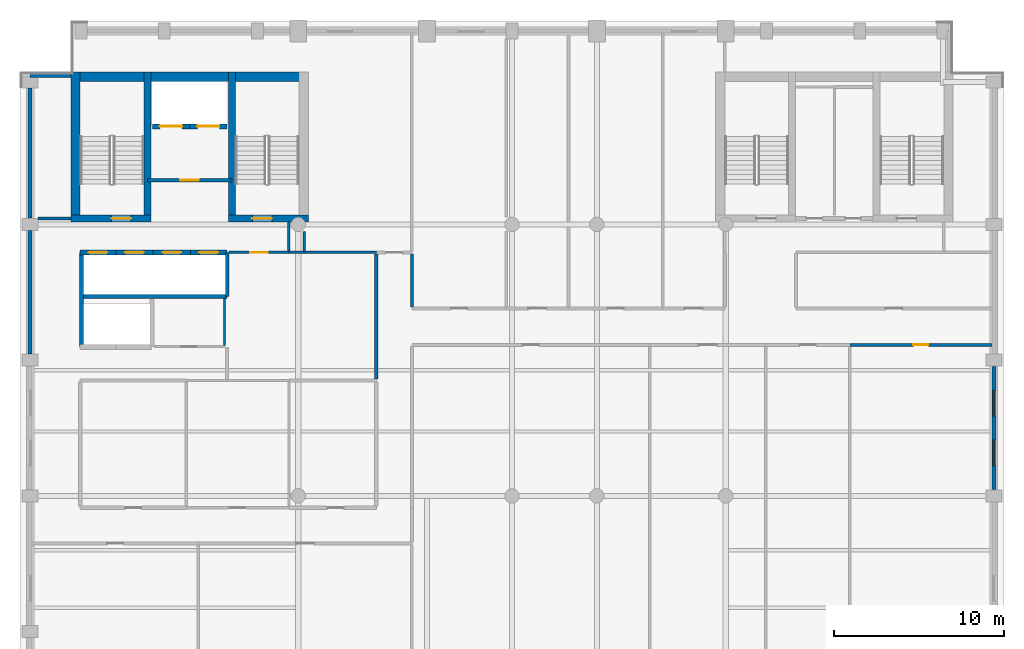
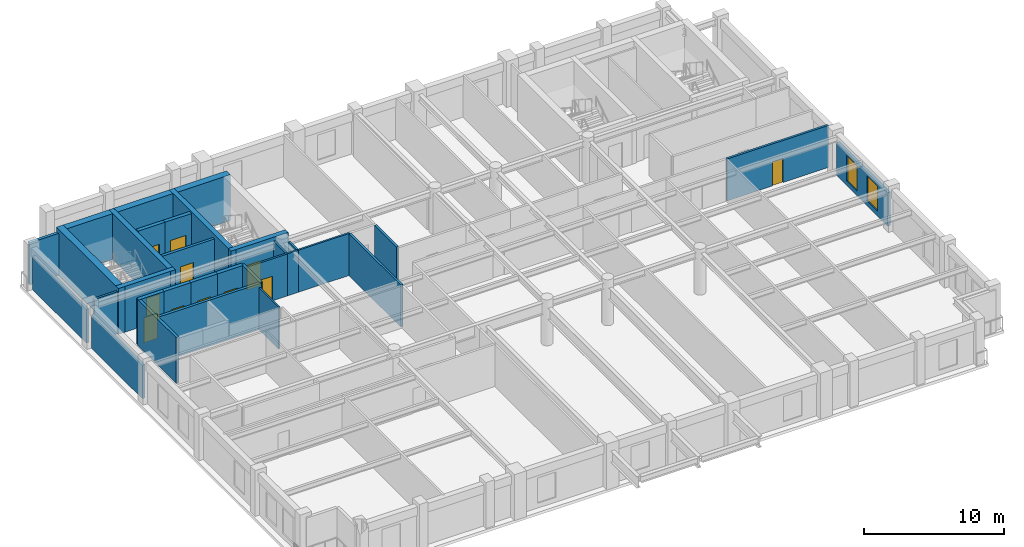
# One storey, part 4 of 9: 30 walls, 11 doors, 2 windows, 13 openings.
"""IFC4 building model written with IfcOpenShell, lengths in metres."""

from ifc_helpers import new_model, si_unit, direction, frame, frame_2d, origin, place, context, subcontext, project, spatial, rectangle, extrude, material, layer, layer_set, type_object, element, fill, save


model = new_model("IFC4")

# Units and contexts
model_context = context("Model", 3, precision=1e-05, world=origin(), true_north=direction((0.0, 1.0)))
body_context = subcontext(model_context, "Body", "Model", "MODEL_VIEW")
ifc_project = project(units=[si_unit("LENGTHUNIT", "METRE"), si_unit("AREAUNIT", "SQUARE_METRE"), si_unit("VOLUMEUNIT", "CUBIC_METRE"), si_unit("PLANEANGLEUNIT", "RADIAN"), si_unit("MASSUNIT", "GRAM", prefix="KILO")], contexts=[model_context])

# Site, building, storey
site_placement = place(None, origin())
site = spatial("IfcSite", under=ifc_project, at=site_placement, CompositionType="ELEMENT")
building_placement = place(site_placement, origin())
building = spatial("IfcBuilding", under=site, at=building_placement, Name="Sulina Concourse Tower", CompositionType="ELEMENT")
storey_placement = place(building_placement, frame((0.0, 0.0, 276.60009765625)))
storey = spatial("IfcBuildingStorey", under=building, at=storey_placement, Name="L67", CompositionType="ELEMENT", Elevation=276.60009765625)

# Walls
ifc_material_1 = material(Name="Concrete C50/60", Category="concrete")
ifc_layer_1 = layer(ifc_material_1, 0.219970703125)
ifc_layer_set_1 = layer_set([ifc_layer_1], Name="Concrete C50/60")
wall_type_1 = type_object("IfcWallType", Name="Core Lift Hoistway Divider Wall 220mm", PredefinedType="SOLIDWALL", material=ifc_layer_set_1)
wall_1_placement = place(storey_placement, frame((3.550048828125, 29.75, 0.0), z_axis=(0.0, 0.0, 1.0), x_axis=(1.0, 0.0, 0.0)))
element("IfcWall", 1, at=wall_1_placement, inside=storey, type_object=wall_type_1, Name="L67 shaft divider wall HW-LP3-S", PredefinedType="SOLIDWALL", context=body_context, shape_type="SweptSolid", body=[
    extrude(rectangle(XDim=8.64990234375, YDim=0.219970703125, at=frame_2d((4.324951171875, 0.0))), origin(), (0.0, 0.0, 1.0), 4.0),
])
wall_2_placement = place(storey_placement, frame((3.6298828125, 26.800048828125, 0.0), z_axis=(0.0, 0.0, 1.0), x_axis=(0.0, 1.0, 0.0)))
element("IfcWall", 2, at=wall_2_placement, inside=storey, type_object=wall_type_1, Name="L67 shaft divider wall HW-LP3-W", PredefinedType="SOLIDWALL", context=body_context, shape_type="SweptSolid", body=[
    extrude(rectangle(XDim=5.550048828125, YDim=0.219970703125, at=frame_2d((2.77490234375, 0.0))), origin(), (0.0, 0.0, 1.0), 4.0),
])
wall_3_placement = place(storey_placement, frame((12.219970703125, 29.75, 0.0), z_axis=(0.0, 0.0, 1.0), x_axis=(0.0, 1.0, 0.0)))
element("IfcWall", 3, at=wall_3_placement, inside=storey, type_object=wall_type_1, Name="L67 shaft divider wall HW-LP3-E", PredefinedType="SOLIDWALL", context=body_context, shape_type="SweptSolid", body=[
    extrude(rectangle(XDim=2.60009765625, YDim=0.219970703125, at=frame_2d((1.300048828125, 0.0))), origin(), (0.0, 0.0, 1.0), 4.0),
])

# Wall, opening, door
ifc_material_2 = material(Name="Concrete C50/60", Category="concrete")
ifc_layer_2 = layer(ifc_material_2, 0.300048828125)
ifc_layer_set_2 = layer_set([ifc_layer_2], Name="Concrete C50/60")
wall_type_2 = type_object("IfcWallType", Name="Core Lift Hoistway Wall 300mm", PredefinedType="SOLIDWALL", material=ifc_layer_set_2)
wall_4_placement = place(storey_placement, frame((3.550048828125, 32.35009765625, 0.0), z_axis=(0.0, 0.0, 1.0), x_axis=(1.0, 0.0, 0.0)))
wall_4 = element("IfcWall", 4, at=wall_4_placement, inside=storey, type_object=wall_type_2, Name="L67 hoistway enclosure wall LP-09", PredefinedType="SOLIDWALL", context=body_context, shape_type="SweptSolid", body=[
    extrude(rectangle(XDim=2.099853515625, YDim=0.300048828125, at=frame_2d((1.0498046875, 0.0))), origin(), (0.0, 0.0, 1.0), 4.0),
])
opening_1_placement = place(wall_4_placement, frame((0.5, 0.0, 0.0)))
opening_1 = element("IfcOpeningElement", 5, at=opening_1_placement, cuts=wall_4, Name="Opening LD-01", PredefinedType="OPENING", context=body_context, shape_type="SweptSolid", body=[
    extrude(rectangle(XDim=1.10009765625, YDim=2.199951171875, at=frame_2d((0.550048828125, 1.10009765625))), frame((0.0, 0.159912109375, 0.0), z_axis=(0.0, -1.0, 0.0), x_axis=(1.0, 0.0, 0.0)), (0.0, 0.0, 1.0), 0.320068359375),
])
ifc_material_3 = material(Name="Stainless steel lift landing door", Category="steel")
ifc_layer_3 = layer(ifc_material_3, 0.050048828125)
ifc_layer_set_3 = layer_set([ifc_layer_3], Name="Stainless steel lift landing door")
door_type_1 = type_object("IfcDoorType", Name="Passenger Lift Sliding Landing Door 1100x2200", OperationType="SLIDING_TO_LEFT", PredefinedType="DOOR", material=ifc_layer_set_3)
door_1_placement = place(opening_1_placement, origin())
door_1 = element("IfcDoor", 6, at=door_1_placement, inside=storey, type_object=door_type_1, Name="L67 lift landing sliding door LP-09", OperationType="SLIDING_TO_LEFT", OverallHeight=2.199951171875, OverallWidth=1.10009765625, PredefinedType="DOOR", context=body_context, shape_type="SweptSolid", body=[
    extrude(rectangle(XDim=1.10009765625, YDim=2.199951171875, at=frame_2d((0.550048828125, 1.10009765625))), frame((0.0, 0.02490234375, 0.0), z_axis=(0.0, -1.0, 0.0), x_axis=(1.0, 0.0, 0.0)), (0.0, 0.0, 1.0), 0.050048828125),
])
fill(opening_1, door_1)

wall_5_placement = place(storey_placement, frame((5.64990234375, 32.35009765625, 0.0), z_axis=(0.0, 0.0, 1.0), x_axis=(1.0, 0.0, 0.0)))
wall_5 = element("IfcWall", 7, at=wall_5_placement, inside=storey, type_object=wall_type_2, Name="L67 hoistway enclosure wall LP-10", PredefinedType="SOLIDWALL", context=body_context, shape_type="SweptSolid", body=[
    extrude(rectangle(XDim=2.2001953125, YDim=0.300048828125, at=frame_2d((1.10009765625, 0.0))), origin(), (0.0, 0.0, 1.0), 4.0),
])
opening_2_placement = place(wall_5_placement, frame((0.550048828125, 0.0, 0.0)))
opening_2 = element("IfcOpeningElement", 8, at=opening_2_placement, cuts=wall_5, Name="Opening LD-01", PredefinedType="OPENING", context=body_context, shape_type="SweptSolid", body=[
    extrude(rectangle(XDim=1.10009765625, YDim=2.199951171875, at=frame_2d((0.550048828125, 1.10009765625))), frame((0.0, 0.159912109375, 0.0), z_axis=(0.0, -1.0, 0.0), x_axis=(1.0, 0.0, 0.0)), (0.0, 0.0, 1.0), 0.320068359375),
])
door_2_placement = place(opening_2_placement, origin())
door_2 = element("IfcDoor", 9, at=door_2_placement, inside=storey, type_object=door_type_1, Name="L67 lift landing sliding door LP-10", OperationType="SLIDING_TO_RIGHT", OverallHeight=2.199951171875, OverallWidth=1.10009765625, PredefinedType="DOOR", context=body_context, shape_type="SweptSolid", body=[
    extrude(rectangle(XDim=1.10009765625, YDim=2.199951171875, at=frame_2d((0.550048828125, 1.10009765625))), frame((0.0, 0.02490234375, 0.0), z_axis=(0.0, -1.0, 0.0), x_axis=(1.0, 0.0, 0.0)), (0.0, 0.0, 1.0), 0.050048828125),
])
fill(opening_2, door_2)

wall_6_placement = place(storey_placement, frame((7.85009765625, 32.35009765625, 0.0), z_axis=(0.0, 0.0, 1.0), x_axis=(1.0, 0.0, 0.0)))
wall_6 = element("IfcWall", 10, at=wall_6_placement, inside=storey, type_object=wall_type_2, Name="L67 hoistway enclosure wall LP-11", PredefinedType="SOLIDWALL", context=body_context, shape_type="SweptSolid", body=[
    extrude(rectangle(XDim=2.199951171875, YDim=0.300048828125, at=frame_2d((1.10009765625, 0.0))), origin(), (0.0, 0.0, 1.0), 4.0),
])
opening_3_placement = place(wall_6_placement, frame((0.550048828125, 0.0, 0.0)))
opening_3 = element("IfcOpeningElement", 11, at=opening_3_placement, cuts=wall_6, Name="Opening LD-01", PredefinedType="OPENING", context=body_context, shape_type="SweptSolid", body=[
    extrude(rectangle(XDim=1.10009765625, YDim=2.199951171875, at=frame_2d((0.550048828125, 1.10009765625))), frame((0.0, 0.159912109375, 0.0), z_axis=(0.0, -1.0, 0.0), x_axis=(1.0, 0.0, 0.0)), (0.0, 0.0, 1.0), 0.320068359375),
])
door_3_placement = place(opening_3_placement, origin())
door_3 = element("IfcDoor", 12, at=door_3_placement, inside=storey, type_object=door_type_1, Name="L67 lift landing sliding door LP-11", OperationType="SLIDING_TO_LEFT", OverallHeight=2.199951171875, OverallWidth=1.10009765625, PredefinedType="DOOR", context=body_context, shape_type="SweptSolid", body=[
    extrude(rectangle(XDim=1.10009765625, YDim=2.199951171875, at=frame_2d((0.550048828125, 1.10009765625))), frame((0.0, 0.02490234375, 0.0), z_axis=(0.0, -1.0, 0.0), x_axis=(1.0, 0.0, 0.0)), (0.0, 0.0, 1.0), 0.050048828125),
])
fill(opening_3, door_3)

wall_7_placement = place(storey_placement, frame((10.050048828125, 32.35009765625, 0.0), z_axis=(0.0, 0.0, 1.0), x_axis=(1.0, 0.0, 0.0)))
wall_7 = element("IfcWall", 13, at=wall_7_placement, inside=storey, type_object=wall_type_2, Name="L67 hoistway enclosure wall LP-12", PredefinedType="SOLIDWALL", context=body_context, shape_type="SweptSolid", body=[
    extrude(rectangle(XDim=2.14990234375, YDim=0.300048828125, at=frame_2d((1.074951171875, 0.0))), origin(), (0.0, 0.0, 1.0), 4.0),
])
opening_4_placement = place(wall_7_placement, frame((0.52490234375, 0.0, 0.0)))
opening_4 = element("IfcOpeningElement", 14, at=opening_4_placement, cuts=wall_7, Name="Opening LD-01", PredefinedType="OPENING", context=body_context, shape_type="SweptSolid", body=[
    extrude(rectangle(XDim=1.10009765625, YDim=2.199951171875, at=frame_2d((0.550048828125, 1.10009765625))), frame((0.0, 0.159912109375, 0.0), z_axis=(0.0, -1.0, 0.0), x_axis=(1.0, 0.0, 0.0)), (0.0, 0.0, 1.0), 0.320068359375),
])
door_4_placement = place(opening_4_placement, origin())
door_4 = element("IfcDoor", 15, at=door_4_placement, inside=storey, type_object=door_type_1, Name="L67 lift landing sliding door LP-12", OperationType="SLIDING_TO_RIGHT", OverallHeight=2.199951171875, OverallWidth=1.10009765625, PredefinedType="DOOR", context=body_context, shape_type="SweptSolid", body=[
    extrude(rectangle(XDim=1.10009765625, YDim=2.199951171875, at=frame_2d((0.550048828125, 1.10009765625))), frame((0.0, 0.02490234375, 0.0), z_axis=(0.0, -1.0, 0.0), x_axis=(1.0, 0.0, 0.0)), (0.0, 0.0, 1.0), 0.050048828125),
])
fill(opening_4, door_4)

wall_8_placement = place(storey_placement, frame((10.0, 39.780029296875, 0.0), z_axis=(0.0, 0.0, 1.0), x_axis=(-1.0, 0.0, 0.0)))
wall_8 = element("IfcWall", 16, at=wall_8_placement, inside=storey, type_object=wall_type_2, Name="L67 hoistway enclosure wall FFL-1", PredefinedType="SOLIDWALL", context=body_context, shape_type="SweptSolid", body=[
    extrude(rectangle(XDim=2.199951171875, YDim=0.300048828125, at=frame_2d((1.10009765625, 0.0))), origin(), (0.0, 0.0, 1.0), 4.0),
])
opening_5_placement = place(wall_8_placement, frame((0.449951171875, 0.0, 0.0)))
opening_5 = element("IfcOpeningElement", 17, at=opening_5_placement, cuts=wall_8, Name="Opening LD-02", PredefinedType="OPENING", context=body_context, shape_type="SweptSolid", body=[
    extrude(rectangle(XDim=1.300048828125, YDim=2.25, at=frame_2d((0.64990234375, 1.125))), frame((0.0, 0.159912109375, 0.0), z_axis=(0.0, -1.0, 0.0), x_axis=(1.0, 0.0, 0.0)), (0.0, 0.0, 1.0), 0.320068359375),
])
ifc_material_4 = material(Name="Stainless steel lift landing door", Category="steel")
ifc_layer_4 = layer(ifc_material_4, 0.050048828125)
ifc_layer_set_4 = layer_set([ifc_layer_4], Name="Stainless steel lift landing door")
door_type_2 = type_object("IfcDoorType", Name="Firefighting Lift Sliding Landing Door 1300x2250", OperationType="SLIDING_TO_RIGHT", PredefinedType="DOOR", material=ifc_layer_set_4)
door_5_placement = place(opening_5_placement, origin())
door_5 = element("IfcDoor", 18, at=door_5_placement, inside=storey, type_object=door_type_2, Name="L67 lift landing sliding door FFL-1", OperationType="SLIDING_TO_LEFT", OverallHeight=2.25, OverallWidth=1.300048828125, PredefinedType="DOOR", context=body_context, shape_type="SweptSolid", body=[
    extrude(rectangle(XDim=1.300048828125, YDim=2.25, at=frame_2d((0.64990234375, 1.125))), frame((0.0, 0.02490234375, 0.0), z_axis=(0.0, -1.0, 0.0), x_axis=(1.0, 0.0, 0.0)), (0.0, 0.0, 1.0), 0.050048828125),
])
fill(opening_5, door_5)

wall_9_placement = place(storey_placement, frame((12.199951171875, 39.780029296875, 0.0), z_axis=(0.0, 0.0, 1.0), x_axis=(-1.0, 0.0, 0.0)))
wall_9 = element("IfcWall", 19, at=wall_9_placement, inside=storey, type_object=wall_type_2, Name="L67 hoistway enclosure wall FFL-2", PredefinedType="SOLIDWALL", context=body_context, shape_type="SweptSolid", body=[
    extrude(rectangle(XDim=2.199951171875, YDim=0.300048828125, at=frame_2d((1.10009765625, 0.0))), origin(), (0.0, 0.0, 1.0), 4.0),
])
opening_6_placement = place(wall_9_placement, frame((0.449951171875, 0.0, 0.0)))
opening_6 = element("IfcOpeningElement", 20, at=opening_6_placement, cuts=wall_9, Name="Opening LD-02", PredefinedType="OPENING", context=body_context, shape_type="SweptSolid", body=[
    extrude(rectangle(XDim=1.300048828125, YDim=2.25, at=frame_2d((0.64990234375, 1.125))), frame((0.0, 0.159912109375, 0.0), z_axis=(0.0, -1.0, 0.0), x_axis=(1.0, 0.0, 0.0)), (0.0, 0.0, 1.0), 0.320068359375),
])
door_6_placement = place(opening_6_placement, origin())
door_6 = element("IfcDoor", 21, at=door_6_placement, inside=storey, type_object=door_type_2, Name="L67 lift landing sliding door FFL-2", OperationType="SLIDING_TO_RIGHT", OverallHeight=2.25, OverallWidth=1.300048828125, PredefinedType="DOOR", context=body_context, shape_type="SweptSolid", body=[
    extrude(rectangle(XDim=1.300048828125, YDim=2.25, at=frame_2d((0.64990234375, 1.125))), frame((0.0, 0.02490234375, 0.0), z_axis=(0.0, -1.0, 0.0), x_axis=(1.0, 0.0, 0.0)), (0.0, 0.0, 1.0), 0.050048828125),
])
fill(opening_6, door_6)

# Walls
ifc_material_5 = material(Name="Precast concrete C50/60", Category="concrete")
ifc_layer_5 = layer(ifc_material_5, 0.239990234375)
ifc_layer_set_5 = layer_set([ifc_layer_5], Name="Precast concrete C50/60")
wall_type_3 = type_object("IfcWallType", Name="Crown Precast Masonry-Frame Facade Wall 240mm", PredefinedType="SOLIDWALL", material=ifc_layer_set_5)
wall_10_placement = place(storey_placement, frame((0.60009765625, 26.3701171875, 0.0), z_axis=(0.0, 0.0, 1.0), x_axis=(0.0, 1.0, 0.0)))
element("IfcWall", 22, at=wall_10_placement, inside=storey, type_object=wall_type_3, Name="L67 exterior precast wall W4", PredefinedType="SOLIDWALL", context=body_context, shape_type="SweptSolid", body=[
    extrude(rectangle(XDim=7.259765625, YDim=0.239990234375, at=frame_2d((3.6298828125, 0.0))), origin(), (0.0, 0.0, 1.0), 2.909912109375),
])
wall_11_placement = place(storey_placement, frame((0.60009765625, 34.3701171875, 0.0), z_axis=(0.0, 0.0, 1.0), x_axis=(0.0, 1.0, 0.0)))
element("IfcWall", 23, at=wall_11_placement, inside=storey, type_object=wall_type_3, Name="L67 exterior precast wall W5", PredefinedType="SOLIDWALL", context=body_context, shape_type="SweptSolid", body=[
    extrude(rectangle(XDim=7.659912109375, YDim=0.239990234375, at=frame_2d((3.830078125, 0.0))), origin(), (0.0, 0.0, 1.0), 2.909912109375),
])

# Wall, openings, windows
wall_12_placement = place(storey_placement, frame((57.39990234375, 25.6298828125, 0.0), z_axis=(0.0, 0.0, 1.0), x_axis=(0.0, -1.0, 0.0)))
wall_12 = element("IfcWall", 24, at=wall_12_placement, inside=storey, type_object=wall_type_3, Name="L67 exterior precast wall E3", PredefinedType="SOLIDWALL", context=body_context, shape_type="SweptSolid", body=[
    extrude(rectangle(XDim=7.259765625, YDim=0.239990234375, at=frame_2d((3.6298828125, 0.0))), origin(), (0.0, 0.0, 1.0), 2.909912109375),
])
opening_7_placement = place(wall_12_placement, frame((1.419921875, 0.0, 0.419921875)))
opening_7 = element("IfcOpeningElement", 25, at=opening_7_placement, cuts=wall_12, Name="Opening WN-71", PredefinedType="OPENING", context=body_context, shape_type="SweptSolid", body=[
    extrude(rectangle(XDim=1.5, YDim=2.199951171875, at=frame_2d((0.75, 1.10009765625))), frame((0.0, 0.1298828125, 0.0), z_axis=(0.0, -1.0, 0.0), x_axis=(1.0, 0.0, 0.0)), (0.0, 0.0, 1.0), 0.260009765625),
])
opening_8_placement = place(wall_12_placement, frame((4.340087890625, 0.0, 0.419921875)))
opening_8 = element("IfcOpeningElement", 26, at=opening_8_placement, cuts=wall_12, Name="Opening WN-71", PredefinedType="OPENING", context=body_context, shape_type="SweptSolid", body=[
    extrude(rectangle(XDim=1.5, YDim=2.199951171875, at=frame_2d((0.75, 1.10009765625))), frame((0.0, 0.1298828125, 0.0), z_axis=(0.0, -1.0, 0.0), x_axis=(1.0, 0.0, 0.0)), (0.0, 0.0, 1.0), 0.260009765625),
])
ifc_material_6 = material(Name="Low-E solar double glazing in bronze aluminium", Category="aluminium")
window_type = type_object("IfcWindowType", Name="Punched Masonry-Frame Window 1500x2200", PartitioningType="SINGLE_PANEL", PredefinedType="WINDOW", material=ifc_material_6)
window_1_placement = place(opening_7_placement, origin())
window_1 = element("IfcWindow", 27, at=window_1_placement, inside=storey, type_object=window_type, Name="L67 punched window E3-1", OverallHeight=2.199951171875, OverallWidth=1.5, PartitioningType="SINGLE_PANEL", PredefinedType="WINDOW", context=body_context, shape_type="SweptSolid", body=[
    extrude(rectangle(XDim=1.5, YDim=2.199951171875, at=frame_2d((0.75, 1.10009765625))), frame((0.0, 0.030029296875, 0.0), z_axis=(0.0, -1.0, 0.0), x_axis=(1.0, 0.0, 0.0)), (0.0, 0.0, 1.0), 0.06005859375),
])
fill(opening_7, window_1)
window_2_placement = place(opening_8_placement, origin())
window_2 = element("IfcWindow", 28, at=window_2_placement, inside=storey, type_object=window_type, Name="L67 punched window E3-2", OverallHeight=2.199951171875, OverallWidth=1.5, PartitioningType="SINGLE_PANEL", PredefinedType="WINDOW", context=body_context, shape_type="SweptSolid", body=[
    extrude(rectangle(XDim=1.5, YDim=2.199951171875, at=frame_2d((0.75, 1.10009765625))), frame((0.0, 0.030029296875, 0.0), z_axis=(0.0, -1.0, 0.0), x_axis=(1.0, 0.0, 0.0)), (0.0, 0.0, 1.0), 0.06005859375),
])
fill(opening_8, window_2)

# Wall
wall_13_placement = place(storey_placement, frame((0.60009765625, 42.77001953125, 0.0), z_axis=(0.0, 0.0, 1.0), x_axis=(1.0, 0.0, 0.0)))
element("IfcWall", 29, at=wall_13_placement, inside=storey, type_object=wall_type_3, Name="L67 exterior precast wall CNW1", PredefinedType="SOLIDWALL", context=body_context, shape_type="SweptSolid", body=[
    extrude(rectangle(XDim=2.39501953125, YDim=0.239990234375, at=frame_2d((1.197509765625, 0.0))), origin(), (0.0, 0.0, 1.0), 3.659912109375),
])

# Wall, opening, door
ifc_material_7 = material(Name="Gypsum board on steel stud", Category="steel")
ifc_layer_6 = layer(ifc_material_7, 0.219970703125)
ifc_layer_set_6 = layer_set([ifc_layer_6], Name="Gypsum board on steel stud")
wall_type_4 = type_object("IfcWallType", Name="Fire-Rated Lobby & Compartment Wall 220mm", PredefinedType="PARTITIONING", material=ifc_layer_set_6)
wall_14_placement = place(storey_placement, frame((7.510009765625, 36.60009765625, 0.0), z_axis=(0.0, 0.0, 1.0), x_axis=(1.0, 0.0, 0.0)))
wall_14 = element("IfcWall", 30, at=wall_14_placement, inside=storey, type_object=wall_type_4, Name="L67 firefighting lobby south fire wall", PredefinedType="PARTITIONING", context=body_context, shape_type="SweptSolid", body=[
    extrude(rectangle(XDim=4.97998046875, YDim=0.219970703125, at=frame_2d((2.489990234375, 0.0))), origin(), (0.0, 0.0, 1.0), 3.659912109375),
])
opening_9_placement = place(wall_14_placement, frame((1.93994140625, 0.0, 0.0)))
opening_9 = element("IfcOpeningElement", 31, at=opening_9_placement, cuts=wall_14, Name="Opening DR-47", PredefinedType="OPENING", context=body_context, shape_type="SweptSolid", body=[
    extrude(rectangle(XDim=1.10009765625, YDim=2.199951171875, at=frame_2d((0.550048828125, 1.10009765625))), frame((0.0, 0.119873046875, 0.0), z_axis=(0.0, -1.0, 0.0), x_axis=(1.0, 0.0, 0.0)), (0.0, 0.0, 1.0), 0.239990234375),
])
ifc_material_8 = material(Name="Galvanised steel acoustic fire leaf", Category="steel")
ifc_layer_7 = layer(ifc_material_8, 0.054931640625)
ifc_layer_set_7 = layer_set([ifc_layer_7], Name="Galvanised steel acoustic fire leaf")
door_type_3 = type_object("IfcDoorType", Name="Firefighting Lobby Fire Door 1100x2200", OperationType="NOTDEFINED", PredefinedType="DOOR", material=ifc_layer_set_7)
door_7_placement = place(opening_9_placement, origin())
door_7 = element("IfcDoor", 32, at=door_7_placement, inside=storey, type_object=door_type_3, Name="L67 firefighting lobby fire door", OperationType="SINGLE_SWING_RIGHT", OverallHeight=2.199951171875, OverallWidth=1.10009765625, PredefinedType="DOOR", context=body_context, shape_type="SweptSolid", body=[
    extrude(rectangle(XDim=1.10009765625, YDim=2.199951171875, at=frame_2d((0.550048828125, 1.10009765625))), frame((0.0, 0.02490234375, 0.0), z_axis=(0.0, -1.0, 0.0), x_axis=(1.0, 0.0, 0.0)), (0.0, 0.0, 1.0), 0.050048828125),
])
fill(opening_9, door_7)

ifc_material_9 = material(Name="Gypsum board on steel stud", Category="steel")
ifc_layer_8 = layer(ifc_material_9, 0.14990234375)
ifc_layer_set_8 = layer_set([ifc_layer_8], Name="Gypsum board on steel stud")
wall_type_5 = type_object("IfcWallType", Name="Inter-Tenancy Acoustic Partition 150mm", PredefinedType="PARTITIONING", material=ifc_layer_set_8)
wall_15_placement = place(storey_placement, frame((12.330078125, 32.35009765625, 0.0), z_axis=(0.0, 0.0, 1.0), x_axis=(1.0, 0.0, 0.0)))
wall_15 = element("IfcWall", 33, at=wall_15_placement, inside=storey, type_object=wall_type_5, Name="L67 interior partition 020", PredefinedType="PARTITIONING", context=body_context, shape_type="SweptSolid", body=[
    extrude(rectangle(XDim=3.52001953125, YDim=0.14990234375, at=frame_2d((1.760009765625, 0.0))), origin(), (0.0, 0.0, 1.0), 3.659912109375),
])
opening_10_placement = place(wall_15_placement, frame((1.235107421875, 0.0, 0.0)))
opening_10 = element("IfcOpeningElement", 34, at=opening_10_placement, cuts=wall_15, Name="Opening DR-37", PredefinedType="OPENING", context=body_context, shape_type="SweptSolid", body=[
    extrude(rectangle(XDim=1.050048828125, YDim=2.14990234375, at=frame_2d((0.52490234375, 1.074951171875))), frame((0.0, 0.0849609375, 0.0), z_axis=(0.0, -1.0, 0.0), x_axis=(1.0, 0.0, 0.0)), (0.0, 0.0, 1.0), 0.169921875),
])
ifc_material_10 = material(Name="Oak-veneered fire door leaf")
ifc_layer_9 = layer(ifc_material_10, 0.050048828125)
ifc_layer_set_9 = layer_set([ifc_layer_9], Name="Oak-veneered fire door leaf")
door_type_4 = type_object("IfcDoorType", Name="Tenant Suite Entrance Fire Door 1050x2150", OperationType="NOTDEFINED", PredefinedType="DOOR", material=ifc_layer_set_9)
door_8_placement = place(opening_10_placement, origin())
door_8 = element("IfcDoor", 35, at=door_8_placement, inside=storey, type_object=door_type_4, Name="L67 interior door L67-MR-MRG1", OperationType="SINGLE_SWING_RIGHT", OverallHeight=2.14990234375, OverallWidth=1.050048828125, PredefinedType="DOOR", context=body_context, shape_type="SweptSolid", body=[
    extrude(rectangle(XDim=1.050048828125, YDim=2.14990234375, at=frame_2d((0.52490234375, 1.074951171875))), frame((0.0, 0.02490234375, 0.0), z_axis=(0.0, -1.0, 0.0), x_axis=(1.0, 0.0, 0.0)), (0.0, 0.0, 1.0), 0.050048828125),
])
fill(opening_10, door_8)

# Walls
wall_16_placement = place(storey_placement, frame((15.85009765625, 32.35009765625, 0.0), z_axis=(0.0, 0.0, 1.0), x_axis=(1.0, 0.0, 0.0)))
element("IfcWall", 36, at=wall_16_placement, inside=storey, type_object=wall_type_5, Name="L67 interior partition 021", PredefinedType="PARTITIONING", context=body_context, shape_type="SweptSolid", body=[
    extrude(rectangle(XDim=0.89990234375, YDim=0.14990234375, at=frame_2d((0.449951171875, 0.0))), origin(), (0.0, 0.0, 1.0), 3.659912109375),
])
wall_17_placement = place(storey_placement, frame((16.75, 32.35009765625, 0.0), z_axis=(0.0, 0.0, 1.0), x_axis=(1.0, 0.0, 0.0)))
element("IfcWall", 37, at=wall_17_placement, inside=storey, type_object=wall_type_5, Name="L67 interior partition 022", PredefinedType="PARTITIONING", context=body_context, shape_type="SweptSolid", body=[
    extrude(rectangle(XDim=4.25, YDim=0.14990234375, at=frame_2d((2.125, 0.0))), origin(), (0.0, 0.0, 1.0), 3.659912109375),
])
wall_18_placement = place(storey_placement, frame((15.85009765625, 32.425048828125, 0.0), z_axis=(0.0, 0.0, 1.0), x_axis=(0.0, 1.0, 0.0)))
element("IfcWall", 38, at=wall_18_placement, inside=storey, type_object=wall_type_5, Name="L67 interior partition 035", PredefinedType="PARTITIONING", context=body_context, shape_type="SweptSolid", body=[
    extrude(rectangle(XDim=1.724853515625, YDim=0.14990234375, at=frame_2d((0.8623046875, 0.0))), origin(), (0.0, 0.0, 1.0), 3.659912109375),
])
wall_19_placement = place(storey_placement, frame((16.75, 32.425048828125, 0.0), z_axis=(0.0, 0.0, 1.0), x_axis=(0.0, 1.0, 0.0)))
element("IfcWall", 39, at=wall_19_placement, inside=storey, type_object=wall_type_5, Name="L67 interior partition 036", PredefinedType="PARTITIONING", context=body_context, shape_type="SweptSolid", body=[
    extrude(rectangle(XDim=1.14990234375, YDim=0.14990234375, at=frame_2d((0.574951171875, 0.0))), origin(), (0.0, 0.0, 1.0), 3.659912109375),
])

# Wall, opening, door
ifc_material_11 = material(Name="Gypsum board on steel stud", Category="steel")
ifc_layer_10 = layer(ifc_material_11, 0.179931640625)
ifc_layer_set_10 = layer_set([ifc_layer_10], Name="Gypsum board on steel stud")
wall_type_6 = type_object("IfcWallType", Name="Protected Corridor & Riser Partition 180mm", PredefinedType="PARTITIONING", material=ifc_layer_set_10)
wall_20_placement = place(storey_placement, frame((48.919921875, 26.89990234375, 0.0), z_axis=(0.0, 0.0, 1.0), x_axis=(1.0, 0.0, 0.0)))
wall_20 = element("IfcWall", 40, at=wall_20_placement, inside=storey, type_object=wall_type_6, Name="L67 interior partition 014", PredefinedType="PARTITIONING", context=body_context, shape_type="SweptSolid", body=[
    extrude(rectangle(XDim=8.360107421875, YDim=0.179931640625, at=frame_2d((4.18017578125, 0.0))), origin(), (0.0, 0.0, 1.0), 3.659912109375),
])
opening_11_placement = place(wall_20_placement, frame((3.739990234375, 0.0, 0.0)))
opening_11 = element("IfcOpeningElement", 41, at=opening_11_placement, cuts=wall_20, Name="Opening DR-38", PredefinedType="OPENING", context=body_context, shape_type="SweptSolid", body=[
    extrude(rectangle(XDim=0.8798828125, YDim=2.10009765625, at=frame_2d((0.43994140625, 1.050048828125))), frame((0.0, 0.099853515625, 0.0), z_axis=(0.0, -1.0, 0.0), x_axis=(1.0, 0.0, 0.0)), (0.0, 0.0, 1.0), 0.199951171875),
])
ifc_material_12 = material(Name="Galvanised steel acoustic fire leaf", Category="steel")
ifc_layer_11 = layer(ifc_material_12, 0.050048828125)
ifc_layer_set_11 = layer_set([ifc_layer_11], Name="Galvanised steel acoustic fire leaf")
door_type_5 = type_object("IfcDoorType", Name="Service Riser Fire Door 880x2100", OperationType="NOTDEFINED", PredefinedType="DOOR", material=ifc_layer_set_11)
door_9_placement = place(opening_11_placement, origin())
door_9 = element("IfcDoor", 42, at=door_9_placement, inside=storey, type_object=door_type_5, Name="L67 interior door L67-S05", OperationType="SINGLE_SWING_RIGHT", OverallHeight=2.10009765625, OverallWidth=0.8798828125, PredefinedType="DOOR", context=body_context, shape_type="SweptSolid", body=[
    extrude(rectangle(XDim=0.8798828125, YDim=2.10009765625, at=frame_2d((0.43994140625, 1.050048828125))), frame((0.0, 0.02490234375, 0.0), z_axis=(0.0, -1.0, 0.0), x_axis=(1.0, 0.0, 0.0)), (0.0, 0.0, 1.0), 0.050048828125),
])
fill(opening_11, door_9)

# Walls
wall_21_placement = place(storey_placement, frame((1.074951171875, 34.35009765625, 0.0), z_axis=(0.0, 0.0, 1.0), x_axis=(1.0, 0.0, 0.0)))
element("IfcWall", 43, at=wall_21_placement, inside=storey, type_object=wall_type_6, Name="L67 interior partition 026", PredefinedType="PARTITIONING", context=body_context, shape_type="SweptSolid", body=[
    extrude(rectangle(XDim=1.925048828125, YDim=0.179931640625, at=frame_2d((0.96240234375, 0.0))), origin(), (0.0, 0.0, 1.0), 3.659912109375),
])
wall_22_placement = place(storey_placement, frame((21.0, 24.875, 0.0), z_axis=(0.0, 0.0, 1.0), x_axis=(0.0, 1.0, 0.0)))
element("IfcWall", 44, at=wall_22_placement, inside=storey, type_object=wall_type_6, Name="L67 interior partition 038", PredefinedType="PARTITIONING", context=body_context, shape_type="SweptSolid", body=[
    extrude(rectangle(XDim=7.385009765625, YDim=0.179931640625, at=frame_2d((3.6923828125, 0.0))), origin(), (0.0, 0.0, 1.0), 3.659912109375),
])
wall_23_placement = place(storey_placement, frame((23.10009765625, 29.139892578125, 0.0), z_axis=(0.0, 0.0, 1.0), x_axis=(0.0, 1.0, 0.0)))
element("IfcWall", 45, at=wall_23_placement, inside=storey, type_object=wall_type_6, Name="L67 interior partition 042", PredefinedType="PARTITIONING", context=body_context, shape_type="SweptSolid", body=[
    extrude(rectangle(XDim=3.1201171875, YDim=0.179931640625, at=frame_2d((1.56005859375, 0.0))), origin(), (0.0, 0.0, 1.0), 3.659912109375),
])

# Wall, opening, door
ifc_material_13 = material(Name="Concrete C60/75", Category="concrete")
ifc_layer_12 = layer(ifc_material_13, 0.39990234375)
ifc_layer_set_12 = layer_set([ifc_layer_12], Name="Concrete C60/75")
wall_type_7 = type_object("IfcWallType", Name="Protected Stair Core Shear Wall 400mm", PredefinedType="SHEAR", material=ifc_layer_set_12)
wall_24_placement = place(storey_placement, frame((3.0, 34.35009765625, 0.0), z_axis=(0.0, 0.0, 1.0), x_axis=(1.0, 0.0, 0.0)))
wall_24 = element("IfcWall", 46, at=wall_24_placement, inside=storey, type_object=wall_type_7, Name="L67 west core shear wall CW-WS1", PredefinedType="SHEAR", context=body_context, shape_type="SweptSolid", body=[
    extrude(rectangle(XDim=4.7099609375, YDim=0.39990234375, at=frame_2d((2.35498046875, 0.0))), origin(), (0.0, 0.0, 1.0), 4.0),
])
opening_12_placement = place(wall_24_placement, frame((2.39990234375, 0.0, 0.0)))
opening_12 = element("IfcOpeningElement", 47, at=opening_12_placement, cuts=wall_24, Name="Opening DR-60", PredefinedType="OPENING", context=body_context, shape_type="SweptSolid", body=[
    extrude(rectangle(XDim=1.14990234375, YDim=2.199951171875, at=frame_2d((0.574951171875, 1.10009765625))), frame((0.0, 0.2099609375, 0.0), z_axis=(0.0, -1.0, 0.0), x_axis=(1.0, 0.0, 0.0)), (0.0, 0.0, 1.0), 0.419921875),
])
ifc_material_14 = material(Name="Galvanised steel acoustic fire leaf", Category="steel")
ifc_layer_13 = layer(ifc_material_14, 0.054931640625)
ifc_layer_set_13 = layer_set([ifc_layer_13], Name="Galvanised steel acoustic fire leaf")
door_type_6 = type_object("IfcDoorType", Name="Protected Exit Stair Fire Door 1150x2200", OperationType="NOTDEFINED", PredefinedType="DOOR", material=ifc_layer_set_13)
door_10_placement = place(opening_12_placement, origin())
door_10 = element("IfcDoor", 48, at=door_10_placement, inside=storey, type_object=door_type_6, Name="L67 stair ST-1 lobby fire door", OperationType="SINGLE_SWING_RIGHT", OverallHeight=2.199951171875, OverallWidth=1.14990234375, PredefinedType="DOOR", context=body_context, shape_type="SweptSolid", body=[
    extrude(rectangle(XDim=1.14990234375, YDim=2.199951171875, at=frame_2d((0.574951171875, 1.10009765625))), frame((0.0, 0.02490234375, 0.0), z_axis=(0.0, -1.0, 0.0), x_axis=(1.0, 0.0, 0.0)), (0.0, 0.0, 1.0), 0.050048828125),
])
fill(opening_12, door_10)

wall_25_placement = place(storey_placement, frame((12.2900390625, 34.35009765625, 0.0), z_axis=(0.0, 0.0, 1.0), x_axis=(1.0, 0.0, 0.0)))
wall_25 = element("IfcWall", 49, at=wall_25_placement, inside=storey, type_object=wall_type_7, Name="L67 west core shear wall CW-WS2", PredefinedType="SHEAR", context=body_context, shape_type="SweptSolid", body=[
    extrude(rectangle(XDim=4.7099609375, YDim=0.39990234375, at=frame_2d((2.35498046875, 0.0))), origin(), (0.0, 0.0, 1.0), 4.0),
])
opening_13_placement = place(wall_25_placement, frame((1.39990234375, 0.0, 0.0)))
opening_13 = element("IfcOpeningElement", 50, at=opening_13_placement, cuts=wall_25, Name="Opening DR-60", PredefinedType="OPENING", context=body_context, shape_type="SweptSolid", body=[
    extrude(rectangle(XDim=1.14990234375, YDim=2.199951171875, at=frame_2d((0.574951171875, 1.10009765625))), frame((0.0, 0.2099609375, 0.0), z_axis=(0.0, -1.0, 0.0), x_axis=(1.0, 0.0, 0.0)), (0.0, 0.0, 1.0), 0.419921875),
])
door_11_placement = place(opening_13_placement, origin())
door_11 = element("IfcDoor", 51, at=door_11_placement, inside=storey, type_object=door_type_6, Name="L67 stair ST-2 lobby fire door", OperationType="SINGLE_SWING_LEFT", OverallHeight=2.199951171875, OverallWidth=1.14990234375, PredefinedType="DOOR", context=body_context, shape_type="SweptSolid", body=[
    extrude(rectangle(XDim=1.14990234375, YDim=2.199951171875, at=frame_2d((0.574951171875, 1.10009765625))), frame((0.0, 0.02490234375, 0.0), z_axis=(0.0, -1.0, 0.0), x_axis=(1.0, 0.0, 0.0)), (0.0, 0.0, 1.0), 0.050048828125),
])
fill(opening_13, door_11)

# Walls
for number, where, z_axis, x_axis, name in (
    (52, (7.510009765625, 34.14990234375, 0.0), (0.0, 0.0, 1.0), (0.0, 1.0, 0.0), "L67 west core shear wall SW-ST1"),
    (53, (12.489990234375, 34.14990234375, 0.0), (0.0, 0.0, 1.0), (0.0, 1.0, 0.0), "L67 west core shear wall SW-ST2"),
):
    element("IfcWall", number, at=place(storey_placement, frame(where, z_axis=z_axis, x_axis=x_axis)), inside=storey, type_object=wall_type_7, Name=name, PredefinedType="SHEAR", context=body_context, shape_type="SweptSolid", body=[
        extrude(rectangle(XDim=8.830078125, YDim=0.39990234375, at=frame_2d((4.4150390625, 0.0))), origin(), (0.0, 0.0, 1.0), 4.0),
    ])
ifc_material_15 = material(Name="Concrete C50/60", Category="concrete")
ifc_layer_14 = layer(ifc_material_15, 0.550048828125)
ifc_layer_set_14 = layer_set([ifc_layer_14], Name="Concrete C50/60")
wall_type_8 = type_object("IfcWallType", Name="Upper Core Shear Wall 550mm", PredefinedType="SHEAR", material=ifc_layer_set_14)
wall_26_placement = place(storey_placement, frame((3.0, 42.705078125, 0.0), z_axis=(0.0, 0.0, 1.0), x_axis=(1.0, 0.0, 0.0)))
element("IfcWall", 54, at=wall_26_placement, inside=storey, type_object=wall_type_8, Name="L67 west core shear wall CW-WN", PredefinedType="SHEAR", context=body_context, shape_type="SweptSolid", body=[
    extrude(rectangle(XDim=14.0, YDim=0.550048828125, at=frame_2d((7.0, 0.0))), origin(), (0.0, 0.0, 1.0), 4.0),
])
wall_27_placement = place(storey_placement, frame((3.27490234375, 34.14990234375, 0.0), z_axis=(0.0, 0.0, 1.0), x_axis=(0.0, 1.0, 0.0)))
element("IfcWall", 55, at=wall_27_placement, inside=storey, type_object=wall_type_8, Name="L67 west core shear wall CW-WW", PredefinedType="SHEAR", context=body_context, shape_type="SweptSolid", body=[
    extrude(rectangle(XDim=8.830078125, YDim=0.550048828125, at=frame_2d((4.4150390625, 0.0))), origin(), (0.0, 0.0, 1.0), 4.0),
])
ifc_material_16 = material(Name="Gypsum board on steel stud", Category="steel")
ifc_layer_15 = layer(ifc_material_16, 0.125)
ifc_layer_set_15 = layer_set([ifc_layer_15], Name="Gypsum board on steel stud")
wall_type_9 = type_object("IfcWallType", Name="Wet-Area Moisture-Resistant Partition 125mm", PredefinedType="PARTITIONING", material=ifc_layer_set_15)
wall_28_placement = place(storey_placement, frame((12.050048828125, 26.862548828125, 0.0), z_axis=(0.0, 0.0, 1.0), x_axis=(0.0, 1.0, 0.0)))
element("IfcWall", 56, at=wall_28_placement, inside=storey, type_object=wall_type_9, Name="L67 interior partition 032", PredefinedType="PARTITIONING", context=body_context, shape_type="SweptSolid", body=[
    extrude(rectangle(XDim=2.77734375, YDim=0.125, at=frame_2d((1.388671875, 0.0))), origin(), (0.0, 0.0, 1.0), 3.659912109375),
])

save(model, "model.ifc")
